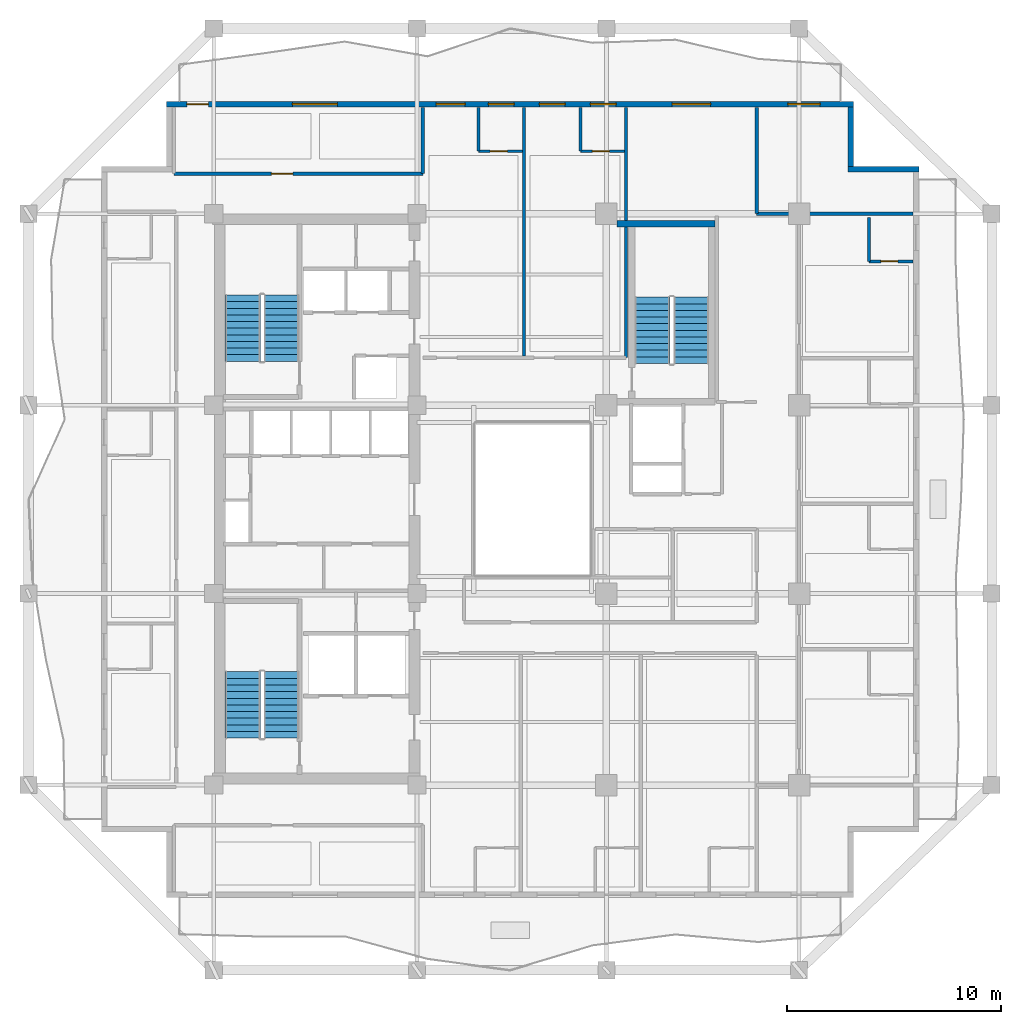
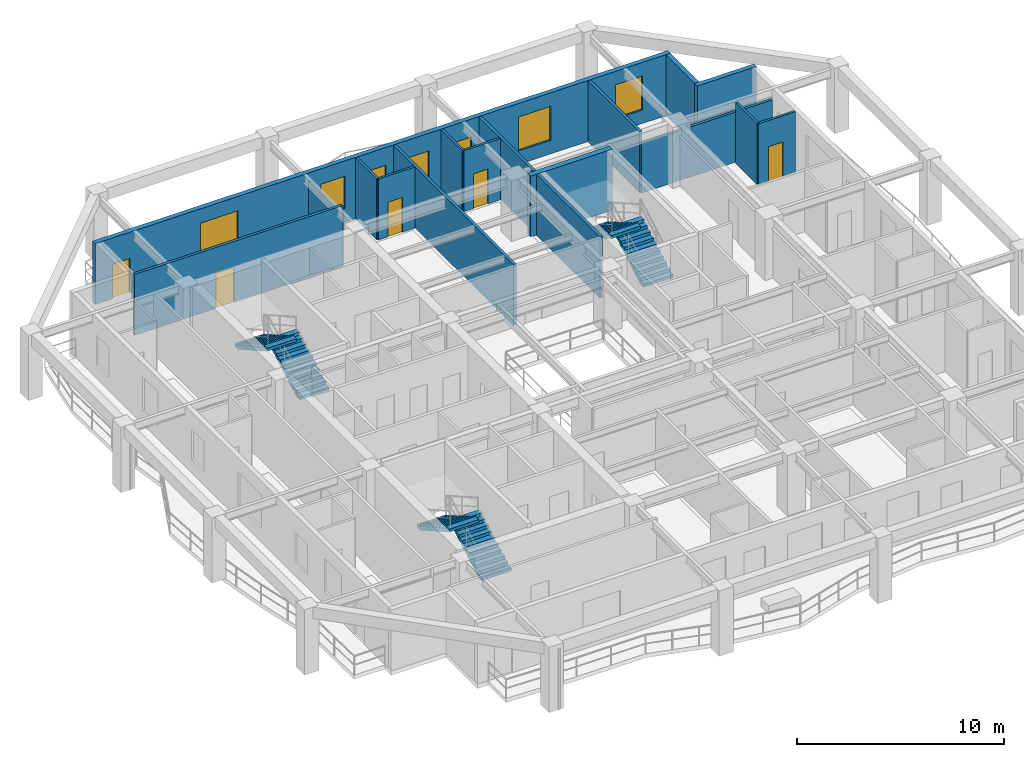
# One storey, part 7 of 11: 16 walls, 7 windows, 6 stair flights, 5 doors, 12 openings, 3 elements without a shape of their own.
"""IFC4 building model written with IfcOpenShell, lengths in metres."""

from ifc_helpers import new_model, si_unit, direction, frame, frame_2d, origin, place, context, subcontext, project, spatial, polyline, rectangle, outline, extrude, material, layer, layer_set, type_object, element, fill, aggregate, save


model = new_model("IFC4")

# Units and contexts
model_context = context("Model", 3, precision=1e-05, world=origin(), true_north=direction((0.0, 1.0)))
body_context = subcontext(model_context, "Body", "Model", "MODEL_VIEW")
ifc_project = project(units=[si_unit("LENGTHUNIT", "METRE"), si_unit("AREAUNIT", "SQUARE_METRE"), si_unit("VOLUMEUNIT", "CUBIC_METRE"), si_unit("PLANEANGLEUNIT", "RADIAN"), si_unit("MASSUNIT", "GRAM", prefix="KILO")], contexts=[model_context])

# Site, building, storey
site_placement = place(None, origin())
site = spatial("IfcSite", under=ifc_project, at=site_placement, CompositionType="ELEMENT")
building_placement = place(site_placement, origin())
building = spatial("IfcBuilding", under=site, at=building_placement, Name="Kundavana Baori Tower", CompositionType="ELEMENT")
storey_placement = place(building_placement, frame((0.0, 0.0, 130.949951171875)))
storey = spatial("IfcBuildingStorey", under=building, at=storey_placement, Name="L31", CompositionType="ELEMENT", Elevation=130.949951171875)

# Walls
ifc_material_1 = material(Name="Kiln-Fired Terracotta Brick-Slip Masonry on Concrete C40/50", Category="masonry")
ifc_layer_1 = layer(ifc_material_1, 0.260009765625, Name="WL-EXT-BRK-260")
ifc_layer_set_1 = layer_set([ifc_layer_1], Name="Kiln-Fired Terracotta Brick-Slip Masonry on Concrete C40/50")
wall_type_1 = type_object("IfcWallType", Name="WL-EXT-BRK-260", PredefinedType="SOLIDWALL", material=ifc_layer_set_1)
wall_1_placement = place(storey_placement, frame((48.39990234375, 44.02001953125, 0.0), z_axis=(0.0, 0.0, 1.0), x_axis=(-1.0, 0.0, 0.0)))
element("IfcWall", 1, at=wall_1_placement, inside=storey, type_object=wall_type_1, Name="L31 Exterior Insulated Facade Wall 05", PredefinedType="SOLIDWALL", context=body_context, shape_type="SweptSolid", body=[
    extrude(rectangle(XDim=3.309814453125, YDim=0.260009765625, at=frame_2d((1.65478515625, 0.0))), origin(), (0.0, 0.0, 1.0), 3.60009765625),
])
wall_2_placement = place(storey_placement, frame((45.219970703125, 44.14990234375, 0.0), z_axis=(0.0, 0.0, 1.0), x_axis=(0.0, 1.0, 0.0)))
element("IfcWall", 2, at=wall_2_placement, inside=storey, type_object=wall_type_1, Name="L31 Exterior Insulated Facade Wall 06", PredefinedType="SOLIDWALL", context=body_context, shape_type="SweptSolid", body=[
    extrude(rectangle(XDim=2.7900390625, YDim=0.260009765625, at=frame_2d((1.39501953125, 0.0))), origin(), (0.0, 0.0, 1.0), 3.60009765625),
])

# Wall, openings, door, windows
wall_3_placement = place(storey_placement, frame((45.35009765625, 47.070068359375, 0.0), z_axis=(0.0, 0.0, 1.0), x_axis=(-1.0, 0.0, 0.0)))
wall_3 = element("IfcWall", 3, at=wall_3_placement, inside=storey, type_object=wall_type_1, Name="L31 Exterior Insulated Facade Wall 07", PredefinedType="SOLIDWALL", context=body_context, shape_type="SweptSolid", body=[
    extrude(rectangle(XDim=32.10009765625, YDim=0.260009765625, at=frame_2d((16.050048828125, 0.0))), origin(), (0.0, 0.0, 1.0), 3.60009765625),
])
opening_1_placement = place(wall_3_placement, frame((30.14990234375, 0.0, 0.0)))
opening_1 = element("IfcOpeningElement", 4, at=opening_1_placement, cuts=wall_3, Name="Opening BD-1", PredefinedType="OPENING", context=body_context, shape_type="SweptSolid", body=[
    extrude(rectangle(XDim=1.0, YDim=2.050048828125, at=frame_2d((0.5, 1.02490234375))), frame((0.0, 0.14013671875, 0.0), z_axis=(0.0, -1.0, 0.0), x_axis=(1.0, 0.0, 0.0)), (0.0, 0.0, 1.0), 0.280029296875),
])
opening_2_placement = place(wall_3_placement, frame((24.1201171875, 0.0, 0.800048828125)))
opening_2 = element("IfcOpeningElement", 5, at=opening_2_placement, cuts=wall_3, Name="Opening W-05", PredefinedType="OPENING", context=body_context, shape_type="SweptSolid", body=[
    extrude(rectangle(XDim=2.10009765625, YDim=1.949951171875, at=frame_2d((1.050048828125, 0.97509765625))), frame((0.0, 0.14013671875, 0.0), z_axis=(0.0, -1.0, 0.0), x_axis=(1.0, 0.0, 0.0)), (0.0, 0.0, 1.0), 0.280029296875),
])
opening_3_placement = place(wall_3_placement, frame((18.155029296875, 0.0, 0.800048828125)))
opening_3 = element("IfcOpeningElement", 6, at=opening_3_placement, cuts=wall_3, Name="Opening W-07", PredefinedType="OPENING", context=body_context, shape_type="SweptSolid", body=[
    extrude(rectangle(XDim=1.35009765625, YDim=1.89990234375, at=frame_2d((0.675048828125, 0.949951171875))), frame((0.0, 0.14013671875, 0.0), z_axis=(0.0, -1.0, 0.0), x_axis=(1.0, 0.0, 0.0)), (0.0, 0.0, 1.0), 0.280029296875),
])
opening_4_placement = place(wall_3_placement, frame((15.864990234375, 0.0, 0.800048828125)))
opening_4 = element("IfcOpeningElement", 7, at=opening_4_placement, cuts=wall_3, Name="Opening W-03", PredefinedType="OPENING", context=body_context, shape_type="SweptSolid", body=[
    extrude(rectangle(XDim=1.199951171875, YDim=1.75, at=frame_2d((0.60009765625, 0.875))), frame((0.0, 0.14013671875, 0.0), z_axis=(0.0, -1.0, 0.0), x_axis=(1.0, 0.0, 0.0)), (0.0, 0.0, 1.0), 0.280029296875),
])
opening_5_placement = place(wall_3_placement, frame((13.47998046875, 0.0, 0.800048828125)))
opening_5 = element("IfcOpeningElement", 8, at=opening_5_placement, cuts=wall_3, Name="Opening W-03", PredefinedType="OPENING", context=body_context, shape_type="SweptSolid", body=[
    extrude(rectangle(XDim=1.199951171875, YDim=1.75, at=frame_2d((0.60009765625, 0.875))), frame((0.0, 0.14013671875, 0.0), z_axis=(0.0, -1.0, 0.0), x_axis=(1.0, 0.0, 0.0)), (0.0, 0.0, 1.0), 0.280029296875),
])
opening_6_placement = place(wall_3_placement, frame((11.094970703125, 0.0, 0.800048828125)))
opening_6 = element("IfcOpeningElement", 9, at=opening_6_placement, cuts=wall_3, Name="Opening W-03", PredefinedType="OPENING", context=body_context, shape_type="SweptSolid", body=[
    extrude(rectangle(XDim=1.199951171875, YDim=1.75, at=frame_2d((0.60009765625, 0.875))), frame((0.0, 0.14013671875, 0.0), z_axis=(0.0, -1.0, 0.0), x_axis=(1.0, 0.0, 0.0)), (0.0, 0.0, 1.0), 0.280029296875),
])
opening_7_placement = place(wall_3_placement, frame((6.679931640625, 0.0, 0.800048828125)))
opening_7 = element("IfcOpeningElement", 10, at=opening_7_placement, cuts=wall_3, Name="Opening W-01", PredefinedType="OPENING", context=body_context, shape_type="SweptSolid", body=[
    extrude(rectangle(XDim=1.800048828125, YDim=2.0, at=frame_2d((0.89990234375, 1.0))), frame((0.0, 0.14013671875, 0.0), z_axis=(0.0, -1.0, 0.0), x_axis=(1.0, 0.0, 0.0)), (0.0, 0.0, 1.0), 0.280029296875),
])
opening_8_placement = place(wall_3_placement, frame((1.570068359375, 0.0, 0.800048828125)))
opening_8 = element("IfcOpeningElement", 11, at=opening_8_placement, cuts=wall_3, Name="Opening W-02", PredefinedType="OPENING", context=body_context, shape_type="SweptSolid", body=[
    extrude(rectangle(XDim=1.5, YDim=2.0, at=frame_2d((0.75, 1.0))), frame((0.0, 0.14013671875, 0.0), z_axis=(0.0, -1.0, 0.0), x_axis=(1.0, 0.0, 0.0)), (0.0, 0.0, 1.0), 0.280029296875),
])
ifc_material_2 = material(Name="Architectural Patinated Bronze Metalwork")
door_type_1 = type_object("IfcDoorType", Name="DR-EXT-LOG-1000", OperationType="NOTDEFINED", PredefinedType="DOOR", material=ifc_material_2)
door_1_placement = place(opening_1_placement, frame((1.0, 0.0, 0.0), z_axis=(0.0, 0.0, 1.0), x_axis=(-1.0, 0.0, 0.0)))
door_1 = element("IfcDoor", 12, at=door_1_placement, inside=storey, type_object=door_type_1, Name="L31 Loggia Balcony Access Door N", OperationType="SINGLE_SWING_LEFT", OverallHeight=2.050048828125, OverallWidth=1.0, PredefinedType="DOOR", context=body_context, shape_type="SweptSolid", body=[
    extrude(rectangle(XDim=1.0, YDim=2.050048828125, at=frame_2d((0.5, 1.02490234375))), frame((0.0, 0.02490234375, 0.0), z_axis=(0.0, -1.0, 0.0), x_axis=(1.0, 0.0, 0.0)), (0.0, 0.0, 1.0), 0.050048828125),
])
fill(opening_1, door_1)
ifc_material_3 = material(Name="Double-Glazed Solar-Control Low-E Insulated Glass", Category="glass")
window_type_1 = type_object("IfcWindowType", Name="WIN-LOG-1200x1750", PartitioningType="SINGLE_PANEL", PredefinedType="WINDOW", material=ifc_material_3)
window_1_placement = place(opening_4_placement, origin())
window_1 = element("IfcWindow", 13, at=window_1_placement, inside=storey, type_object=window_type_1, Name="L31 Recessed Loggia Window N-3", OverallHeight=1.75, OverallWidth=1.199951171875, PartitioningType="SINGLE_PANEL", PredefinedType="WINDOW", context=body_context, shape_type="SweptSolid", body=[
    extrude(rectangle(XDim=1.199951171875, YDim=1.75, at=frame_2d((0.60009765625, 0.875))), frame((0.0, 0.030029296875, 0.0), z_axis=(0.0, -1.0, 0.0), x_axis=(1.0, 0.0, 0.0)), (0.0, 0.0, 1.0), 0.06005859375),
])
fill(opening_4, window_1)
window_2_placement = place(opening_5_placement, origin())
window_2 = element("IfcWindow", 14, at=window_2_placement, inside=storey, type_object=window_type_1, Name="L31 Recessed Loggia Window N-4", OverallHeight=1.75, OverallWidth=1.199951171875, PartitioningType="SINGLE_PANEL", PredefinedType="WINDOW", context=body_context, shape_type="SweptSolid", body=[
    extrude(rectangle(XDim=1.199951171875, YDim=1.75, at=frame_2d((0.60009765625, 0.875))), frame((0.0, 0.030029296875, 0.0), z_axis=(0.0, -1.0, 0.0), x_axis=(1.0, 0.0, 0.0)), (0.0, 0.0, 1.0), 0.06005859375),
])
fill(opening_5, window_2)
window_3_placement = place(opening_6_placement, origin())
window_3 = element("IfcWindow", 15, at=window_3_placement, inside=storey, type_object=window_type_1, Name="L31 Recessed Loggia Window N-5", OverallHeight=1.75, OverallWidth=1.199951171875, PartitioningType="SINGLE_PANEL", PredefinedType="WINDOW", context=body_context, shape_type="SweptSolid", body=[
    extrude(rectangle(XDim=1.199951171875, YDim=1.75, at=frame_2d((0.60009765625, 0.875))), frame((0.0, 0.030029296875, 0.0), z_axis=(0.0, -1.0, 0.0), x_axis=(1.0, 0.0, 0.0)), (0.0, 0.0, 1.0), 0.06005859375),
])
fill(opening_6, window_3)
ifc_material_4 = material(Name="Double-Glazed Solar-Control Low-E Insulated Glass", Category="glass")
window_type_2 = type_object("IfcWindowType", Name="WIN-LOG-1350x1900", PartitioningType="SINGLE_PANEL", PredefinedType="WINDOW", material=ifc_material_4)
window_4_placement = place(opening_3_placement, origin())
window_4 = element("IfcWindow", 16, at=window_4_placement, inside=storey, type_object=window_type_2, Name="L31 Recessed Loggia Window N-2", OverallHeight=1.89990234375, OverallWidth=1.35009765625, PartitioningType="SINGLE_PANEL", PredefinedType="WINDOW", context=body_context, shape_type="SweptSolid", body=[
    extrude(rectangle(XDim=1.35009765625, YDim=1.89990234375, at=frame_2d((0.675048828125, 0.949951171875))), frame((0.0, 0.030029296875, 0.0), z_axis=(0.0, -1.0, 0.0), x_axis=(1.0, 0.0, 0.0)), (0.0, 0.0, 1.0), 0.06005859375),
])
fill(opening_3, window_4)
ifc_material_5 = material(Name="Double-Glazed Solar-Control Low-E Insulated Glass", Category="glass")
window_type_3 = type_object("IfcWindowType", Name="WIN-LOG-1500x2000", PartitioningType="SINGLE_PANEL", PredefinedType="WINDOW", material=ifc_material_5)
window_5_placement = place(opening_8_placement, origin())
window_5 = element("IfcWindow", 17, at=window_5_placement, inside=storey, type_object=window_type_3, Name="L31 Recessed Loggia Window N-7", OverallHeight=2.0, OverallWidth=1.5, PartitioningType="SINGLE_PANEL", PredefinedType="WINDOW", context=body_context, shape_type="SweptSolid", body=[
    extrude(rectangle(XDim=1.5, YDim=2.0, at=frame_2d((0.75, 1.0))), frame((0.0, 0.030029296875, 0.0), z_axis=(0.0, -1.0, 0.0), x_axis=(1.0, 0.0, 0.0)), (0.0, 0.0, 1.0), 0.06005859375),
])
fill(opening_8, window_5)
ifc_material_6 = material(Name="Double-Glazed Solar-Control Low-E Insulated Glass", Category="glass")
window_type_4 = type_object("IfcWindowType", Name="WIN-LOG-1800x2000", PartitioningType="SINGLE_PANEL", PredefinedType="WINDOW", material=ifc_material_6)
window_6_placement = place(opening_7_placement, origin())
window_6 = element("IfcWindow", 18, at=window_6_placement, inside=storey, type_object=window_type_4, Name="L31 Recessed Loggia Window N-6", OverallHeight=2.0, OverallWidth=1.800048828125, PartitioningType="SINGLE_PANEL", PredefinedType="WINDOW", context=body_context, shape_type="SweptSolid", body=[
    extrude(rectangle(XDim=1.800048828125, YDim=2.0, at=frame_2d((0.89990234375, 1.0))), frame((0.0, 0.030029296875, 0.0), z_axis=(0.0, -1.0, 0.0), x_axis=(1.0, 0.0, 0.0)), (0.0, 0.0, 1.0), 0.06005859375),
])
fill(opening_7, window_6)
ifc_material_7 = material(Name="Double-Glazed Solar-Control Low-E Insulated Glass", Category="glass")
window_type_5 = type_object("IfcWindowType", Name="WIN-LOG-2100x1950", PartitioningType="SINGLE_PANEL", PredefinedType="WINDOW", material=ifc_material_7)
window_7_placement = place(opening_2_placement, origin())
window_7 = element("IfcWindow", 19, at=window_7_placement, inside=storey, type_object=window_type_5, Name="L31 Recessed Loggia Window N-1", OverallHeight=1.949951171875, OverallWidth=2.10009765625, PartitioningType="SINGLE_PANEL", PredefinedType="WINDOW", context=body_context, shape_type="SweptSolid", body=[
    extrude(rectangle(XDim=2.10009765625, YDim=1.949951171875, at=frame_2d((1.050048828125, 0.97509765625))), frame((0.0, 0.030029296875, 0.0), z_axis=(0.0, -1.0, 0.0), x_axis=(1.0, 0.0, 0.0)), (0.0, 0.0, 1.0), 0.06005859375),
])
fill(opening_2, window_7)

# Wall
ifc_material_8 = material(Name="Fire-Rated Gypsum Drywall on Galvanised Steel Studs", Category="steel")
ifc_layer_2 = layer(ifc_material_8, 0.14990234375, Name="WL-PART-150")
ifc_layer_set_2 = layer_set([ifc_layer_2], Name="Fire-Rated Gypsum Drywall on Galvanised Steel Studs")
wall_type_2 = type_object("IfcWallType", Name="WL-PART-150", PredefinedType="PARTITIONING", material=ifc_layer_set_2)
wall_4_placement = place(storey_placement, frame((40.820068359375, 41.949951171875, 0.0), z_axis=(0.0, 0.0, 1.0), x_axis=(1.0, 0.0, 0.0)))
element("IfcWall", 20, at=wall_4_placement, inside=storey, type_object=wall_type_2, Name="WL-L31-HEN", PredefinedType="PARTITIONING", context=body_context, shape_type="SweptSolid", body=[
    extrude(rectangle(XDim=7.300048828125, YDim=0.14990234375, at=frame_2d((3.64990234375, 0.0))), origin(), (0.0, 0.0, 1.0), 2.949951171875),
])

# Wall, opening, door
wall_5_placement = place(storey_placement, frame((13.590087890625, 43.820068359375, 0.0), z_axis=(0.0, 0.0, 1.0), x_axis=(1.0, 0.0, 0.0)))
wall_5 = element("IfcWall", 21, at=wall_5_placement, inside=storey, type_object=wall_type_2, Name="WL-L31-HNC", PredefinedType="PARTITIONING", context=body_context, shape_type="SweptSolid", body=[
    extrude(rectangle(XDim=11.6298828125, YDim=0.14990234375, at=frame_2d((5.81494140625, 0.0))), origin(), (0.0, 0.0, 1.0), 3.60009765625),
])
opening_9_placement = place(wall_5_placement, frame((4.56005859375, 0.0, 0.0)))
opening_9 = element("IfcOpeningElement", 22, at=opening_9_placement, cuts=wall_5, Name="Opening ID-100", PredefinedType="OPENING", context=body_context, shape_type="SweptSolid", body=[
    extrude(rectangle(XDim=1.0, YDim=2.080078125, at=frame_2d((0.5, 1.0400390625))), frame((0.0, 0.0849609375, 0.0), z_axis=(0.0, -1.0, 0.0), x_axis=(1.0, 0.0, 0.0)), (0.0, 0.0, 1.0), 0.169921875),
])
ifc_material_9 = material(Name="Engineered Teak Solid-Core Timber Veneer", Category="wood")
door_type_2 = type_object("IfcDoorType", Name="DR-INT-1000", OperationType="NOTDEFINED", PredefinedType="DOOR", material=ifc_material_9)
door_2_placement = place(opening_9_placement, origin())
door_2 = element("IfcDoor", 23, at=door_2_placement, inside=storey, type_object=door_type_2, Name="DR-L31-HMNW", OperationType="SINGLE_SWING_RIGHT", OverallHeight=2.080078125, OverallWidth=1.0, PredefinedType="DOOR", context=body_context, shape_type="SweptSolid", body=[
    extrude(rectangle(XDim=1.0, YDim=2.080078125, at=frame_2d((0.5, 1.0400390625))), frame((0.0, 0.02490234375, 0.0), z_axis=(0.0, -1.0, 0.0), x_axis=(1.0, 0.0, 0.0)), (0.0, 0.0, 1.0), 0.050048828125),
])
fill(opening_9, door_2)

# Walls
wall_6_placement = place(storey_placement, frame((25.219970703125, 43.820068359375, 0.0), z_axis=(0.0, 0.0, 1.0), x_axis=(0.0, 1.0, 0.0)))
element("IfcWall", 24, at=wall_6_placement, inside=storey, type_object=wall_type_2, Name="WL-L31-HNCE", PredefinedType="PARTITIONING", context=body_context, shape_type="SweptSolid", body=[
    extrude(rectangle(XDim=3.099853515625, YDim=0.14990234375, at=frame_2d((1.5498046875, 0.0))), origin(), (0.0, 0.0, 1.0), 3.10009765625),
])
wall_7_placement = place(storey_placement, frame((34.719970703125, 35.219970703125, 0.0), z_axis=(0.0, 0.0, 1.0), x_axis=(0.0, 1.0, 0.0)))
element("IfcWall", 25, at=wall_7_placement, inside=storey, type_object=wall_type_2, Name="WL-L31-HNEND", PredefinedType="PARTITIONING", context=body_context, shape_type="SweptSolid", body=[
    extrude(rectangle(XDim=11.699951171875, YDim=0.14990234375, at=frame_2d((5.85009765625, 0.0))), origin(), (0.0, 0.0, 1.0), 3.60009765625),
])
wall_8_placement = place(storey_placement, frame((29.949951171875, 35.300048828125, 0.0), z_axis=(0.0, 0.0, 1.0), x_axis=(0.0, 1.0, 0.0)))
element("IfcWall", 26, at=wall_8_placement, inside=storey, type_object=wall_type_2, Name="WL-L31-HND1", PredefinedType="PARTITIONING", context=body_context, shape_type="SweptSolid", body=[
    extrude(rectangle(XDim=11.619873046875, YDim=0.14990234375, at=frame_2d((5.81005859375, 0.0))), origin(), (0.0, 0.0, 1.0), 3.60009765625),
])
wall_9_placement = place(storey_placement, frame((40.820068359375, 41.949951171875, 0.0), z_axis=(0.0, 0.0, 1.0), x_axis=(0.0, 1.0, 0.0)))
element("IfcWall", 27, at=wall_9_placement, inside=storey, type_object=wall_type_2, Name="WL-L31-HNEE", PredefinedType="PARTITIONING", context=body_context, shape_type="SweptSolid", body=[
    extrude(rectangle(XDim=4.969970703125, YDim=0.14990234375, at=frame_2d((2.48486328125, 0.0))), origin(), (0.0, 0.0, 1.0), 3.60009765625),
])
ifc_material_10 = material(Name="Concrete C50/60", Category="concrete")
ifc_layer_3 = layer(ifc_material_10, 0.300048828125, Name="WL-ST3-300")
ifc_layer_set_3 = layer_set([ifc_layer_3], Name="Concrete C50/60")
wall_type_3 = type_object("IfcWallType", Name="WL-ST3-300", PredefinedType="SHEAR", material=ifc_layer_set_3)
wall_10_placement = place(storey_placement, frame((34.300048828125, 41.489990234375, 0.0), z_axis=(0.0, 0.0, 1.0), x_axis=(1.0, 0.0, 0.0)))
element("IfcWall", 28, at=wall_10_placement, inside=storey, type_object=wall_type_3, Name="L31 Stair ST3 North Shear Wall", PredefinedType="SHEAR", context=body_context, shape_type="SweptSolid", body=[
    extrude(rectangle(XDim=4.570068359375, YDim=0.300048828125, at=frame_2d((2.28515625, 0.0))), origin(), (0.0, 0.0, 1.0), 3.60009765625),
])
ifc_material_11 = material(Name="Autoclaved Aerated Concrete Blockwork Masonry", Category="masonry")
ifc_layer_4 = layer(ifc_material_11, 0.125, Name="WL-WET-120")
ifc_layer_set_4 = layer_set([ifc_layer_4], Name="Autoclaved Aerated Concrete Blockwork Masonry")
wall_type_4 = type_object("IfcWallType", Name="WL-WET-120", PredefinedType="PLUMBINGWALL", material=ifc_layer_set_4)
wall_11_placement = place(storey_placement, frame((46.070068359375, 39.719970703125, 0.0), z_axis=(0.0, 0.0, 1.0), x_axis=(0.0, 1.0, 0.0)))
element("IfcWall", 29, at=wall_11_placement, inside=storey, type_object=wall_type_4, Name="WL-L31-HK-E4-BW", PredefinedType="PLUMBINGWALL", context=body_context, shape_type="SweptSolid", body=[
    extrude(rectangle(XDim=2.050048828125, YDim=0.125, at=frame_2d((1.02490234375, 0.0))), origin(), (0.0, 0.0, 1.0), 3.60009765625),
])

# Wall, opening, door
wall_12_placement = place(storey_placement, frame((46.070068359375, 39.719970703125, 0.0), z_axis=(0.0, 0.0, 1.0), x_axis=(1.0, 0.0, 0.0)))
wall_12 = element("IfcWall", 30, at=wall_12_placement, inside=storey, type_object=wall_type_4, Name="WL-L31-HK-E4-BS", PredefinedType="PLUMBINGWALL", context=body_context, shape_type="SweptSolid", body=[
    extrude(rectangle(XDim=2.050048828125, YDim=0.125, at=frame_2d((1.02490234375, 0.0))), origin(), (0.0, 0.0, 1.0), 3.60009765625),
])
opening_10_placement = place(wall_12_placement, frame((0.550048828125, 0.0, 0.0)))
opening_10 = element("IfcOpeningElement", 31, at=opening_10_placement, cuts=wall_12, Name="Opening WD-080", PredefinedType="OPENING", context=body_context, shape_type="SweptSolid", body=[
    extrude(rectangle(XDim=0.800048828125, YDim=2.050048828125, at=frame_2d((0.39990234375, 1.02490234375))), frame((0.0, 0.072509765625, 0.0), z_axis=(0.0, -1.0, 0.0), x_axis=(1.0, 0.0, 0.0)), (0.0, 0.0, 1.0), 0.14501953125),
])
ifc_material_12 = material(Name="Engineered Teak Solid-Core Timber Veneer", Category="wood")
door_type_3 = type_object("IfcDoorType", Name="DR-WET-800", OperationType="NOTDEFINED", PredefinedType="DOOR", material=ifc_material_12)
door_3_placement = place(opening_10_placement, frame((0.800048828125, 0.0, 0.0), z_axis=(0.0, 0.0, 1.0), x_axis=(-1.0, 0.0, 0.0)))
door_3 = element("IfcDoor", 32, at=door_3_placement, inside=storey, type_object=door_type_3, Name="DR-L31-HK-E4-ENS", OperationType="SINGLE_SWING_LEFT", OverallHeight=2.050048828125, OverallWidth=0.800048828125, PredefinedType="DOOR", context=body_context, shape_type="SweptSolid", body=[
    extrude(rectangle(XDim=0.800048828125, YDim=2.050048828125, at=frame_2d((0.39990234375, 1.02490234375))), frame((0.0, 0.02490234375, 0.0), z_axis=(0.0, -1.0, 0.0), x_axis=(1.0, 0.0, 0.0)), (0.0, 0.0, 1.0), 0.050048828125),
])
fill(opening_10, door_3)

# Wall
wall_13_placement = place(storey_placement, frame((27.820068359375, 44.8701171875, 0.0), z_axis=(0.0, 0.0, 1.0), x_axis=(0.0, 1.0, 0.0)))
element("IfcWall", 33, at=wall_13_placement, inside=storey, type_object=wall_type_4, Name="WL-L31-HK-N1-BW", PredefinedType="PLUMBINGWALL", context=body_context, shape_type="SweptSolid", body=[
    extrude(rectangle(XDim=2.0498046875, YDim=0.125, at=frame_2d((1.02490234375, 0.0))), origin(), (0.0, 0.0, 1.0), 3.60009765625),
])

# Wall, opening, door
wall_14_placement = place(storey_placement, frame((27.820068359375, 44.8701171875, 0.0), z_axis=(0.0, 0.0, 1.0), x_axis=(1.0, 0.0, 0.0)))
wall_14 = element("IfcWall", 34, at=wall_14_placement, inside=storey, type_object=wall_type_4, Name="WL-L31-HK-N1-BS", PredefinedType="PLUMBINGWALL", context=body_context, shape_type="SweptSolid", body=[
    extrude(rectangle(XDim=2.050048828125, YDim=0.125, at=frame_2d((1.02490234375, 0.0))), origin(), (0.0, 0.0, 1.0), 3.60009765625),
])
opening_11_placement = place(wall_14_placement, frame((0.550048828125, 0.0, 0.0)))
opening_11 = element("IfcOpeningElement", 35, at=opening_11_placement, cuts=wall_14, Name="Opening WD-080", PredefinedType="OPENING", context=body_context, shape_type="SweptSolid", body=[
    extrude(rectangle(XDim=0.800048828125, YDim=2.050048828125, at=frame_2d((0.39990234375, 1.02490234375))), frame((0.0, 0.072509765625, 0.0), z_axis=(0.0, -1.0, 0.0), x_axis=(1.0, 0.0, 0.0)), (0.0, 0.0, 1.0), 0.14501953125),
])
door_4_placement = place(opening_11_placement, frame((0.800048828125, 0.0, 0.0), z_axis=(0.0, 0.0, 1.0), x_axis=(-1.0, 0.0, 0.0)))
door_4 = element("IfcDoor", 36, at=door_4_placement, inside=storey, type_object=door_type_3, Name="DR-L31-HK-N1-ENS", OperationType="SINGLE_SWING_LEFT", OverallHeight=2.050048828125, OverallWidth=0.800048828125, PredefinedType="DOOR", context=body_context, shape_type="SweptSolid", body=[
    extrude(rectangle(XDim=0.800048828125, YDim=2.050048828125, at=frame_2d((0.39990234375, 1.02490234375))), frame((0.0, 0.02490234375, 0.0), z_axis=(0.0, -1.0, 0.0), x_axis=(1.0, 0.0, 0.0)), (0.0, 0.0, 1.0), 0.050048828125),
])
fill(opening_11, door_4)

# Wall
wall_15_placement = place(storey_placement, frame((32.590087890625, 44.8701171875, 0.0), z_axis=(0.0, 0.0, 1.0), x_axis=(0.0, 1.0, 0.0)))
element("IfcWall", 37, at=wall_15_placement, inside=storey, type_object=wall_type_4, Name="WL-L31-HK-N2-BW", PredefinedType="PLUMBINGWALL", context=body_context, shape_type="SweptSolid", body=[
    extrude(rectangle(XDim=2.0498046875, YDim=0.125, at=frame_2d((1.02490234375, 0.0))), origin(), (0.0, 0.0, 1.0), 3.60009765625),
])

# Wall, opening, door
wall_16_placement = place(storey_placement, frame((32.590087890625, 44.8701171875, 0.0), z_axis=(0.0, 0.0, 1.0), x_axis=(1.0, 0.0, 0.0)))
wall_16 = element("IfcWall", 38, at=wall_16_placement, inside=storey, type_object=wall_type_4, Name="WL-L31-HK-N2-BS", PredefinedType="PLUMBINGWALL", context=body_context, shape_type="SweptSolid", body=[
    extrude(rectangle(XDim=2.0498046875, YDim=0.125, at=frame_2d((1.02490234375, 0.0))), origin(), (0.0, 0.0, 1.0), 3.60009765625),
])
opening_12_placement = place(wall_16_placement, frame((0.550048828125, 0.0, 0.0)))
opening_12 = element("IfcOpeningElement", 39, at=opening_12_placement, cuts=wall_16, Name="Opening WD-080", PredefinedType="OPENING", context=body_context, shape_type="SweptSolid", body=[
    extrude(rectangle(XDim=0.800048828125, YDim=2.050048828125, at=frame_2d((0.39990234375, 1.02490234375))), frame((0.0, 0.072509765625, 0.0), z_axis=(0.0, -1.0, 0.0), x_axis=(1.0, 0.0, 0.0)), (0.0, 0.0, 1.0), 0.14501953125),
])
door_5_placement = place(opening_12_placement, frame((0.800048828125, 0.0, 0.0), z_axis=(0.0, 0.0, 1.0), x_axis=(-1.0, 0.0, 0.0)))
door_5 = element("IfcDoor", 40, at=door_5_placement, inside=storey, type_object=door_type_3, Name="DR-L31-HK-N2-ENS", OperationType="SINGLE_SWING_LEFT", OverallHeight=2.050048828125, OverallWidth=0.800048828125, PredefinedType="DOOR", context=body_context, shape_type="SweptSolid", body=[
    extrude(rectangle(XDim=0.800048828125, YDim=2.050048828125, at=frame_2d((0.39990234375, 1.02490234375))), frame((0.0, 0.02490234375, 0.0), z_axis=(0.0, -1.0, 0.0), x_axis=(1.0, 0.0, 0.0)), (0.0, 0.0, 1.0), 0.050048828125),
])
fill(opening_12, door_5)

# Stair, stair flights
ifc_material_13 = material(Name="Concrete C40/50", Category="concrete")
stair_type = type_object("IfcStairType", Name="STR-DOG-1650", PredefinedType="HALF_TURN_STAIR", material=ifc_material_13)
stair_1_placement = place(storey_placement, origin())
stair_1 = element("IfcStair", 41, at=stair_1_placement, inside=storey, type_object=stair_type, Name="L31 Protected Exit Stair ST1", PredefinedType="HALF_TURN_STAIR")
ifc_material_14 = material(Name="Concrete C40/50", Category="concrete")
stair_flight_type = type_object("IfcStairFlightType", Name="SFL-RC-1650", PredefinedType="STRAIGHT", material=ifc_material_14)
stair_flight_1_placement = place(storey_placement, frame((18.614990234375, 17.449951171875, 0.0), z_axis=(0.0, 0.0, 1.0), x_axis=(0.0, 1.0, 0.0)))
stair_flight_1 = element("IfcStairFlight", 42, at=stair_flight_1_placement, type_object=stair_flight_type, Name="ST1 flight 1", NumberOfRisers=11, NumberOfTreads=10, PredefinedType="STRAIGHT", RiserHeight=0.175, TreadLength=0.31, context=body_context, shape_type="SweptSolid", body=[
    extrude(outline(polyline([(0.0, 0.0), (0.0, 0.175048828125), (0.31005859375, 0.175048828125), (0.31005859375, 0.35009765625), (0.6201171875, 0.35009765625), (0.6201171875, 0.52490234375), (0.929931640625, 0.52490234375), (0.929931640625, 0.699951171875), (1.239990234375, 0.699951171875), (1.239990234375, 0.875), (1.550048828125, 0.875), (1.550048828125, 1.050048828125), (1.860107421875, 1.050048828125), (1.860107421875, 1.22509765625), (2.169921875, 1.22509765625), (2.169921875, 1.39990234375), (2.47998046875, 1.39990234375), (2.47998046875, 1.574951171875), (2.7900390625, 1.574951171875), (2.7900390625, 1.75), (3.10009765625, 1.75), (3.10009765625, 1.925048828125), (3.10009765625, 1.577880859375), (0.304931640625, 0.0), (0.0, 0.0)])), frame((0.0, 0.824951171875, 0.0), z_axis=(0.0, -1.0, 0.0), x_axis=(1.0, 0.0, 0.0)), (0.0, 0.0, 1.0), 1.64990234375),
])
stair_flight_2_placement = place(storey_placement, frame((16.804931640625, 20.550048828125, 1.925048828125), z_axis=(0.0, 0.0, 1.0), x_axis=(0.0, -1.0, 0.0)))
stair_flight_2 = element("IfcStairFlight", 43, at=stair_flight_2_placement, type_object=stair_flight_type, Name="ST1 flight 2", NumberOfRisers=11, NumberOfTreads=10, PredefinedType="STRAIGHT", RiserHeight=0.175, TreadLength=0.31, context=body_context, shape_type="SweptSolid", body=[
    extrude(outline(polyline([(0.0, 0.0), (0.0, 0.175048828125), (0.31005859375, 0.175048828125), (0.31005859375, 0.35009765625), (0.6201171875, 0.35009765625), (0.6201171875, 0.52490234375), (0.929931640625, 0.52490234375), (0.929931640625, 0.699951171875), (1.239990234375, 0.699951171875), (1.239990234375, 0.875), (1.550048828125, 0.875), (1.550048828125, 1.050048828125), (1.860107421875, 1.050048828125), (1.860107421875, 1.22509765625), (2.169921875, 1.22509765625), (2.169921875, 1.39990234375), (2.47998046875, 1.39990234375), (2.47998046875, 1.574951171875), (2.7900390625, 1.574951171875), (2.7900390625, 1.75), (3.10009765625, 1.75), (3.10009765625, 1.925048828125), (3.10009765625, 1.577880859375), (0.304931640625, 0.0), (0.0, 0.0)])), frame((0.0, 0.824951171875, 0.0), z_axis=(0.0, -1.0, 0.0), x_axis=(1.0, 0.0, 0.0)), (0.0, 0.0, 1.0), 1.64990234375),
])
aggregate(stair_1, [stair_flight_1, stair_flight_2])

stair_2_placement = place(storey_placement, origin())
stair_2 = element("IfcStair", 44, at=stair_2_placement, inside=storey, type_object=stair_type, Name="L31 Protected Exit Stair ST2", PredefinedType="HALF_TURN_STAIR")
stair_flight_3_placement = place(storey_placement, frame((18.614990234375, 35.050048828125, 0.0), z_axis=(0.0, 0.0, 1.0), x_axis=(0.0, 1.0, 0.0)))
stair_flight_3 = element("IfcStairFlight", 45, at=stair_flight_3_placement, type_object=stair_flight_type, Name="ST2 flight 1", NumberOfRisers=11, NumberOfTreads=10, PredefinedType="STRAIGHT", RiserHeight=0.175, TreadLength=0.31, context=body_context, shape_type="SweptSolid", body=[
    extrude(outline(polyline([(0.0, 0.0), (0.0, 0.175048828125), (0.31005859375, 0.175048828125), (0.31005859375, 0.35009765625), (0.6201171875, 0.35009765625), (0.6201171875, 0.52490234375), (0.929931640625, 0.52490234375), (0.929931640625, 0.699951171875), (1.239990234375, 0.699951171875), (1.239990234375, 0.875), (1.550048828125, 0.875), (1.550048828125, 1.050048828125), (1.860107421875, 1.050048828125), (1.860107421875, 1.22509765625), (2.169921875, 1.22509765625), (2.169921875, 1.39990234375), (2.47998046875, 1.39990234375), (2.47998046875, 1.574951171875), (2.7900390625, 1.574951171875), (2.7900390625, 1.75), (3.10009765625, 1.75), (3.10009765625, 1.925048828125), (3.10009765625, 1.577880859375), (0.304931640625, 0.0), (0.0, 0.0)])), frame((0.0, 0.824951171875, 0.0), z_axis=(0.0, -1.0, 0.0), x_axis=(1.0, 0.0, 0.0)), (0.0, 0.0, 1.0), 1.64990234375),
])
stair_flight_4_placement = place(storey_placement, frame((16.804931640625, 38.14990234375, 1.925048828125), z_axis=(0.0, 0.0, 1.0), x_axis=(0.0, -1.0, 0.0)))
stair_flight_4 = element("IfcStairFlight", 46, at=stair_flight_4_placement, type_object=stair_flight_type, Name="ST2 flight 2", NumberOfRisers=11, NumberOfTreads=10, PredefinedType="STRAIGHT", RiserHeight=0.175, TreadLength=0.31, context=body_context, shape_type="SweptSolid", body=[
    extrude(outline(polyline([(0.0, 0.0), (0.0, 0.175048828125), (0.31005859375, 0.175048828125), (0.31005859375, 0.35009765625), (0.6201171875, 0.35009765625), (0.6201171875, 0.52490234375), (0.929931640625, 0.52490234375), (0.929931640625, 0.699951171875), (1.239990234375, 0.699951171875), (1.239990234375, 0.875), (1.550048828125, 0.875), (1.550048828125, 1.050048828125), (1.860107421875, 1.050048828125), (1.860107421875, 1.22509765625), (2.169921875, 1.22509765625), (2.169921875, 1.39990234375), (2.47998046875, 1.39990234375), (2.47998046875, 1.574951171875), (2.7900390625, 1.574951171875), (2.7900390625, 1.75), (3.10009765625, 1.75), (3.10009765625, 1.925048828125), (3.10009765625, 1.577880859375), (0.304931640625, 0.0), (0.0, 0.0)])), frame((0.0, 0.824951171875, 0.0), z_axis=(0.0, -1.0, 0.0), x_axis=(1.0, 0.0, 0.0)), (0.0, 0.0, 1.0), 1.64990234375),
])
aggregate(stair_2, [stair_flight_3, stair_flight_4])

stair_3_placement = place(storey_placement, origin())
stair_3 = element("IfcStair", 47, at=stair_3_placement, inside=storey, type_object=stair_type, Name="L31 Protected Exit Stair ST3", PredefinedType="HALF_TURN_STAIR")
stair_flight_5_placement = place(storey_placement, frame((37.7548828125, 34.949951171875, 0.0), z_axis=(0.0, 0.0, 1.0), x_axis=(0.0, 1.0, 0.0)))
stair_flight_5 = element("IfcStairFlight", 48, at=stair_flight_5_placement, type_object=stair_flight_type, Name="ST3 flight 1", NumberOfRisers=11, NumberOfTreads=10, PredefinedType="STRAIGHT", RiserHeight=0.175, TreadLength=0.31, context=body_context, shape_type="SweptSolid", body=[
    extrude(outline(polyline([(0.0, 0.0), (0.0, 0.175048828125), (0.31005859375, 0.175048828125), (0.31005859375, 0.35009765625), (0.6201171875, 0.35009765625), (0.6201171875, 0.52490234375), (0.929931640625, 0.52490234375), (0.929931640625, 0.699951171875), (1.239990234375, 0.699951171875), (1.239990234375, 0.875), (1.550048828125, 0.875), (1.550048828125, 1.050048828125), (1.860107421875, 1.050048828125), (1.860107421875, 1.22509765625), (2.169921875, 1.22509765625), (2.169921875, 1.39990234375), (2.47998046875, 1.39990234375), (2.47998046875, 1.574951171875), (2.7900390625, 1.574951171875), (2.7900390625, 1.75), (3.10009765625, 1.75), (3.10009765625, 1.925048828125), (3.10009765625, 1.577880859375), (0.304931640625, 0.0), (0.0, 0.0)])), frame((0.0, 0.824951171875, 0.0), z_axis=(0.0, -1.0, 0.0), x_axis=(1.0, 0.0, 0.0)), (0.0, 0.0, 1.0), 1.64990234375),
])
stair_flight_6_placement = place(storey_placement, frame((35.945068359375, 38.050048828125, 1.925048828125), z_axis=(0.0, 0.0, 1.0), x_axis=(0.0, -1.0, 0.0)))
stair_flight_6 = element("IfcStairFlight", 49, at=stair_flight_6_placement, type_object=stair_flight_type, Name="ST3 flight 2", NumberOfRisers=11, NumberOfTreads=10, PredefinedType="STRAIGHT", RiserHeight=0.175, TreadLength=0.31, context=body_context, shape_type="SweptSolid", body=[
    extrude(outline(polyline([(0.0, 0.0), (0.0, 0.175048828125), (0.31005859375, 0.175048828125), (0.31005859375, 0.35009765625), (0.6201171875, 0.35009765625), (0.6201171875, 0.52490234375), (0.929931640625, 0.52490234375), (0.929931640625, 0.699951171875), (1.239990234375, 0.699951171875), (1.239990234375, 0.875), (1.550048828125, 0.875), (1.550048828125, 1.050048828125), (1.860107421875, 1.050048828125), (1.860107421875, 1.22509765625), (2.169921875, 1.22509765625), (2.169921875, 1.39990234375), (2.47998046875, 1.39990234375), (2.47998046875, 1.574951171875), (2.7900390625, 1.574951171875), (2.7900390625, 1.75), (3.10009765625, 1.75), (3.10009765625, 1.925048828125), (3.10009765625, 1.577880859375), (0.304931640625, 0.0), (0.0, 0.0)])), frame((0.0, 0.824951171875, 0.0), z_axis=(0.0, -1.0, 0.0), x_axis=(1.0, 0.0, 0.0)), (0.0, 0.0, 1.0), 1.64990234375),
])
aggregate(stair_3, [stair_flight_5, stair_flight_6])

save(model, "model.ifc")
